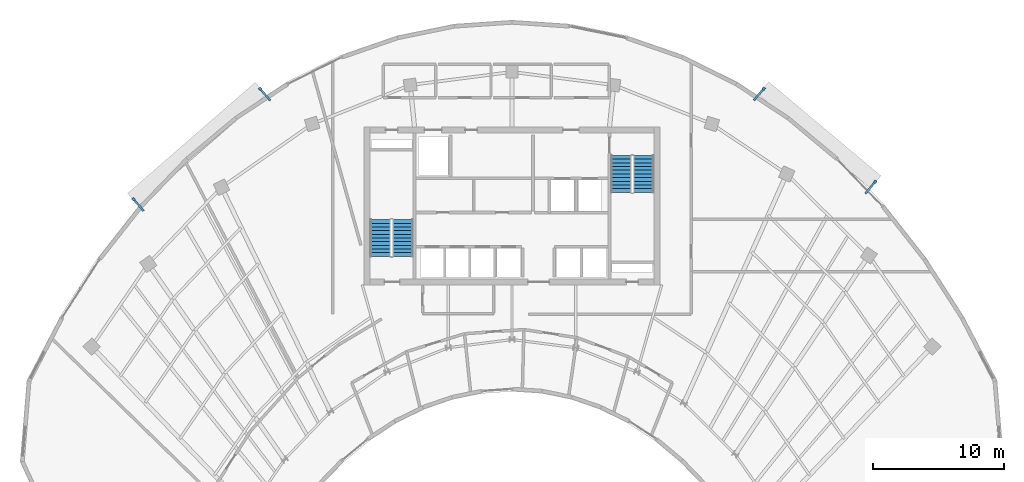
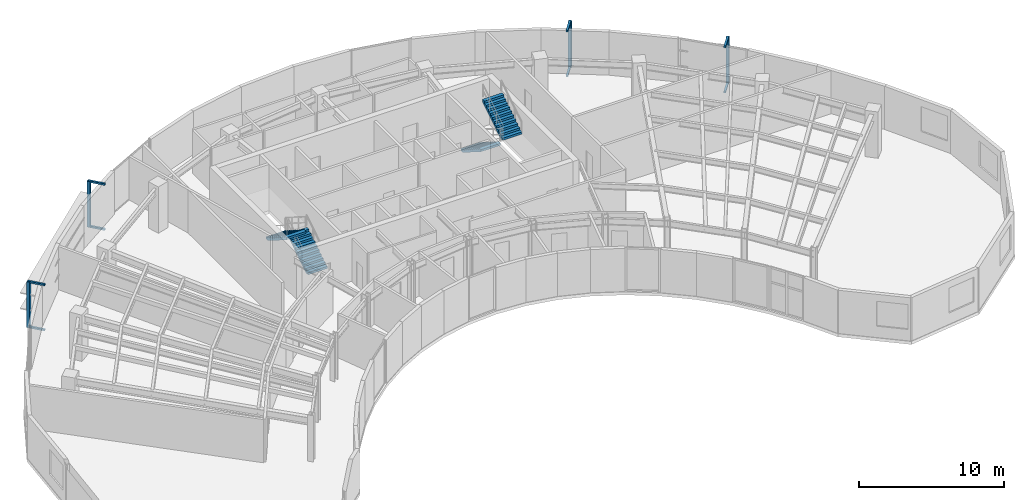
# One storey, part 12 of 14: 12 discrete accessories, 4 stair flights, 2 elements without a shape of their own.
"""IFC4 building model written with IfcOpenShell, lengths in metres."""

from ifc_helpers import new_model, si_unit, direction, frame, origin, origin_2d, place, context, subcontext, project, spatial, polyline, rectangle, outline, extrude, source, transform, mapped, material, type_object, type_shapes, element, aggregate, save


model = new_model("IFC4")

# Units and contexts
model_context = context("Model", 3, precision=1e-05, world=origin(), true_north=direction((0.0, 1.0)))
body_context = subcontext(model_context, "Body", "Model", "MODEL_VIEW")
ifc_project = project(units=[si_unit("LENGTHUNIT", "METRE"), si_unit("AREAUNIT", "SQUARE_METRE"), si_unit("VOLUMEUNIT", "CUBIC_METRE"), si_unit("PLANEANGLEUNIT", "RADIAN"), si_unit("MASSUNIT", "GRAM", prefix="KILO")], contexts=[model_context])

# Site, building, storey
site_placement = place(None, origin())
site = spatial("IfcSite", under=ifc_project, at=site_placement, CompositionType="ELEMENT")
building_placement = place(site_placement, origin())
building = spatial("IfcBuilding", under=site, at=building_placement, Name="Breltana Convention Tower", CompositionType="ELEMENT")
storey_placement = place(building_placement, frame((0.0, 0.0, 215.699951171875)))
storey = spatial("IfcBuildingStorey", under=building, at=storey_placement, Name="L52", CompositionType="ELEMENT", Elevation=215.699951171875)

# Stair, stair flights
ifc_material_1 = material(Name="Concrete C40/50", Category="concrete")
stair_type = type_object("IfcStairType", Name="ST-DOG-1560-R177", PredefinedType="HALF_TURN_STAIR", material=ifc_material_1)
stair_1_placement = place(storey_placement, origin())
stair_1 = element("IfcStair", 1, at=stair_1_placement, inside=storey, type_object=stair_type, Name="L52 Protected Core Exit Stair ST-1", PredefinedType="HALF_TURN_STAIR")
stair_flight_type = type_object("IfcStairFlightType", Name="STF-DOG-1560-N11-R177", PredefinedType="STRAIGHT", material=ifc_material_1)
stair_flight_1_placement = place(storey_placement, frame((39.68994140625, 62.360107421875, 0.0), z_axis=(0.0, 0.0, 1.0), x_axis=(0.0, 1.0, 0.0)))
stair_flight_1 = element("IfcStairFlight", 2, at=stair_flight_1_placement, type_object=stair_flight_type, Name="ST-1 flight 1", NumberOfRisers=11, NumberOfTreads=10, PredefinedType="STRAIGHT", RiserHeight=0.177272727, TreadLength=0.28, context=body_context, shape_type="SweptSolid", body=[
    extrude(outline(polyline([(0.0, 0.0), (0.0, 0.17724609375), (0.280029296875, 0.17724609375), (0.280029296875, 0.3544921875), (0.56005859375, 0.3544921875), (0.56005859375, 0.53173828125), (0.840087890625, 0.53173828125), (0.840087890625, 0.708984375), (1.1201171875, 0.708984375), (1.1201171875, 0.886474609375), (1.39990234375, 0.886474609375), (1.39990234375, 1.063720703125), (1.679931640625, 1.063720703125), (1.679931640625, 1.240966796875), (1.9599609375, 1.240966796875), (1.9599609375, 1.418212890625), (2.239990234375, 1.418212890625), (2.239990234375, 1.595458984375), (2.52001953125, 1.595458984375), (2.52001953125, 1.772705078125), (2.800048828125, 1.772705078125), (2.800048828125, 1.949951171875), (2.800048828125, 1.59521484375), (0.2802734375, 0.0), (0.0, 0.0)])), frame((0.0, 0.780029296875, 0.0), z_axis=(0.0, -1.0, 0.0), x_axis=(1.0, 0.0, 0.0)), (0.0, 0.0, 1.0), 1.56005859375),
])
stair_flight_2_placement = place(storey_placement, frame((37.97998046875, 65.159912109375, 1.949951171875), z_axis=(0.0, 0.0, 1.0), x_axis=(0.0, -1.0, 0.0)))
stair_flight_2 = element("IfcStairFlight", 3, at=stair_flight_2_placement, type_object=stair_flight_type, Name="ST-1 flight 2", NumberOfRisers=11, NumberOfTreads=10, PredefinedType="STRAIGHT", RiserHeight=0.177272727, TreadLength=0.28, context=body_context, shape_type="SweptSolid", body=[
    extrude(outline(polyline([(0.0, 0.0), (0.0, 0.17724609375), (0.280029296875, 0.17724609375), (0.280029296875, 0.3544921875), (0.56005859375, 0.3544921875), (0.56005859375, 0.53173828125), (0.840087890625, 0.53173828125), (0.840087890625, 0.708984375), (1.1201171875, 0.708984375), (1.1201171875, 0.886474609375), (1.39990234375, 0.886474609375), (1.39990234375, 1.063720703125), (1.679931640625, 1.063720703125), (1.679931640625, 1.240966796875), (1.9599609375, 1.240966796875), (1.9599609375, 1.418212890625), (2.239990234375, 1.418212890625), (2.239990234375, 1.595458984375), (2.52001953125, 1.595458984375), (2.52001953125, 1.772705078125), (2.800048828125, 1.772705078125), (2.800048828125, 1.949951171875), (2.800048828125, 1.59521484375), (0.2802734375, 0.0), (0.0, 0.0)])), frame((0.0, 0.780029296875, 0.0), z_axis=(0.0, -1.0, 0.0), x_axis=(1.0, 0.0, 0.0)), (0.0, 0.0, 1.0), 1.56005859375),
])
aggregate(stair_1, [stair_flight_1, stair_flight_2])

stair_2_placement = place(storey_placement, origin())
stair_2 = element("IfcStair", 4, at=stair_2_placement, inside=storey, type_object=stair_type, Name="L52 Protected Core Exit Stair ST-2", PredefinedType="HALF_TURN_STAIR")
stair_flight_3_placement = place(storey_placement, frame((56.31005859375, 70.0400390625, 0.0), z_axis=(0.0, 0.0, 1.0), x_axis=(0.0, -1.0, 0.0)))
stair_flight_3 = element("IfcStairFlight", 5, at=stair_flight_3_placement, type_object=stair_flight_type, Name="ST-2 flight 1", NumberOfRisers=11, NumberOfTreads=10, PredefinedType="STRAIGHT", RiserHeight=0.177272727, TreadLength=0.28, context=body_context, shape_type="SweptSolid", body=[
    extrude(outline(polyline([(0.0, 0.0), (0.0, 0.17724609375), (0.280029296875, 0.17724609375), (0.280029296875, 0.3544921875), (0.56005859375, 0.3544921875), (0.56005859375, 0.53173828125), (0.840087890625, 0.53173828125), (0.840087890625, 0.708984375), (1.1201171875, 0.708984375), (1.1201171875, 0.886474609375), (1.39990234375, 0.886474609375), (1.39990234375, 1.063720703125), (1.679931640625, 1.063720703125), (1.679931640625, 1.240966796875), (1.9599609375, 1.240966796875), (1.9599609375, 1.418212890625), (2.239990234375, 1.418212890625), (2.239990234375, 1.595458984375), (2.52001953125, 1.595458984375), (2.52001953125, 1.772705078125), (2.800048828125, 1.772705078125), (2.800048828125, 1.949951171875), (2.800048828125, 1.59521484375), (0.2802734375, 0.0), (0.0, 0.0)])), frame((0.0, 0.780029296875, 0.0), z_axis=(0.0, -1.0, 0.0), x_axis=(1.0, 0.0, 0.0)), (0.0, 0.0, 1.0), 1.56005859375),
])
stair_flight_4_placement = place(storey_placement, frame((58.02001953125, 67.239990234375, 1.949951171875), z_axis=(0.0, 0.0, 1.0), x_axis=(0.0, 1.0, 0.0)))
stair_flight_4 = element("IfcStairFlight", 6, at=stair_flight_4_placement, type_object=stair_flight_type, Name="ST-2 flight 2", NumberOfRisers=11, NumberOfTreads=10, PredefinedType="STRAIGHT", RiserHeight=0.177272727, TreadLength=0.28, context=body_context, shape_type="SweptSolid", body=[
    extrude(outline(polyline([(0.0, 0.0), (0.0, 0.17724609375), (0.280029296875, 0.17724609375), (0.280029296875, 0.3544921875), (0.56005859375, 0.3544921875), (0.56005859375, 0.53173828125), (0.840087890625, 0.53173828125), (0.840087890625, 0.708984375), (1.1201171875, 0.708984375), (1.1201171875, 0.886474609375), (1.39990234375, 0.886474609375), (1.39990234375, 1.063720703125), (1.679931640625, 1.063720703125), (1.679931640625, 1.240966796875), (1.9599609375, 1.240966796875), (1.9599609375, 1.418212890625), (2.239990234375, 1.418212890625), (2.239990234375, 1.595458984375), (2.52001953125, 1.595458984375), (2.52001953125, 1.772705078125), (2.800048828125, 1.772705078125), (2.800048828125, 1.949951171875), (2.800048828125, 1.59521484375), (0.2802734375, 0.0), (0.0, 0.0)])), frame((0.0, 0.780029296875, 0.0), z_axis=(0.0, -1.0, 0.0), x_axis=(1.0, 0.0, 0.0)), (0.0, 0.0, 1.0), 1.56005859375),
])
aggregate(stair_2, [stair_flight_3, stair_flight_4])

# Discrete accessories
ifc_material_2 = material(Name="Steel S355", Category="steel")
discrete_accessory_type_1 = type_object("IfcDiscreteAccessoryType", Name="ACC-DSF-BRACKET-150", PredefinedType="BRACKET", material=ifc_material_2)
shared_shape_1 = source(origin(), body_context, "Body", "SweptSolid", [
    extrude(rectangle(XDim=1.239990234375, YDim=0.14990234375, at=origin_2d()), origin(), (0.0, 0.0, 1.0), 0.139892578125),
])
type_shapes(discrete_accessory_type_1, [shared_shape_1])
for number, where, z_axis, x_axis, name in (
    (7, (19.545166015625, 66.295166015625, -0.15966796875), (0.0, 0.0, 1.0), (-0.65645174674, 0.754368016423, 0.0), "L52 double-skin slab stand-off bracket 1.1B"),
    (8, (19.545166015625, 66.295166015625, 3.64013671875), (0.0, 0.0, 1.0), (-0.65645174674, 0.754368016423, 0.0), "L52 double-skin slab stand-off bracket 1.1T"),
    (9, (29.1953125, 74.69287109375, -0.15966796875), (0.0, 0.0, 1.0), (-0.65645174674, 0.754368016423, 0.0), "L52 double-skin slab stand-off bracket 1.2B"),
    (10, (29.1953125, 74.69287109375, 3.64013671875), (0.0, 0.0, 1.0), (-0.65645174674, 0.754368016423, 0.0), "L52 double-skin slab stand-off bracket 1.2T"),
    (11, (66.8125, 74.715087890625, -0.15966796875), (0.0, 0.0, 1.0), (0.641983760468, 0.766718234618, 0.0), "L52 double-skin slab stand-off bracket 2.1B"),
    (12, (66.8125, 74.715087890625, 3.64013671875), (0.0, 0.0, 1.0), (0.641983760468, 0.766718234618, 0.0), "L52 double-skin slab stand-off bracket 2.1T"),
    (13, (75.29150390625, 67.615478515625, -0.15966796875), (0.0, 0.0, 1.0), (0.641983760468, 0.766718234618, 0.0), "L52 double-skin slab stand-off bracket 2.2B"),
    (14, (75.29150390625, 67.615478515625, 3.64013671875), (0.0, 0.0, 1.0), (0.641983760468, 0.766718234618, 0.0), "L52 double-skin slab stand-off bracket 2.2T"),
):
    element("IfcDiscreteAccessory", number, at=place(storey_placement, frame(where, z_axis=z_axis, x_axis=x_axis)), inside=storey, type_object=discrete_accessory_type_1, Name=name, PredefinedType="BRACKET", context=body_context, shape_type="MappedRepresentation", body=[
        mapped(shared_shape_1, transform((0.0, 0.0, 0.0), scale=1.0)),
    ])
discrete_accessory_type_2 = type_object("IfcDiscreteAccessoryType", Name="ACC-DSF-CARRIER-150", PredefinedType="BRACKET", material=ifc_material_2)
shared_shape_2 = source(origin(), body_context, "Body", "SweptSolid", [
    extrude(rectangle(XDim=0.219970703125, YDim=0.219970703125, at=origin_2d()), origin(), (0.0, 0.0, 1.0), 3.860107421875),
])
for number, where, z_axis, x_axis, name in (
    (15, (19.177490234375, 66.7177734375, -0.1201171875), (0.0, 0.0, 1.0), (-0.65645174674, 0.754368016423, 0.0), "L52 double-skin outer vertical carrier 1.1"),
    (16, (28.82763671875, 75.115478515625, -0.1201171875), (0.0, 0.0, 1.0), (-0.65645174674, 0.754368016423, 0.0), "L52 double-skin outer vertical carrier 1.2"),
    (17, (67.172119140625, 75.144287109375, -0.1201171875), (0.0, 0.0, 1.0), (0.641983760468, 0.766718234618, 0.0), "L52 double-skin outer vertical carrier 2.1"),
    (18, (75.65087890625, 68.044921875, -0.1201171875), (0.0, 0.0, 1.0), (0.641983760468, 0.766718234618, 0.0), "L52 double-skin outer vertical carrier 2.2"),
):
    element("IfcDiscreteAccessory", number, at=place(storey_placement, frame(where, z_axis=z_axis, x_axis=x_axis)), inside=storey, type_object=discrete_accessory_type_2, Name=name, PredefinedType="BRACKET", context=body_context, shape_type="MappedRepresentation", body=[
        mapped(shared_shape_2, transform((0.0, 0.0, 0.0), scale=1.0)),
    ])

save(model, "model.ifc")
